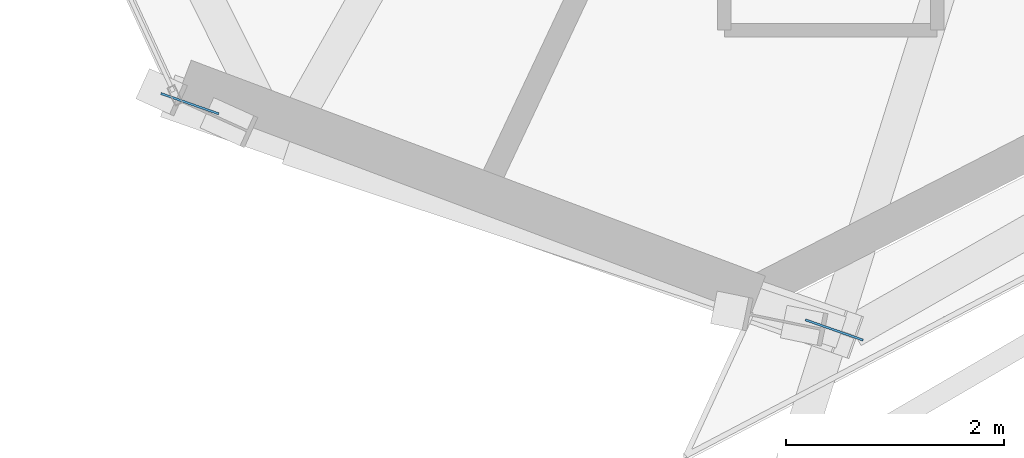
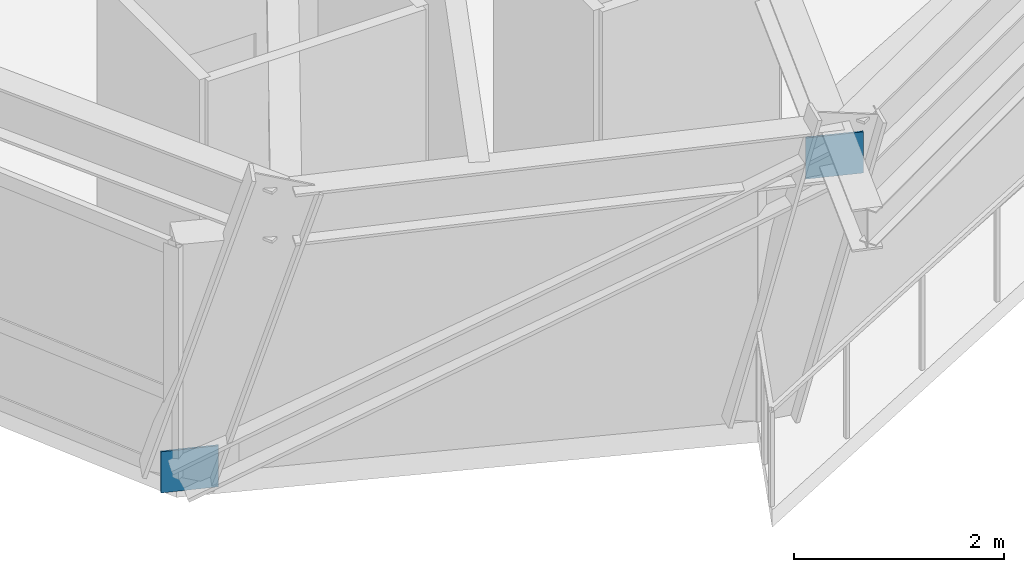
# One storey, part 11 of 22: 2 plates.
"""IFC4 building model written with IfcOpenShell, lengths in metres."""

from ifc_helpers import new_model, si_unit, direction, frame, origin, origin_2d, place, context, subcontext, project, spatial, rectangle, extrude, source, transform, mapped, material, type_object, element, save


model = new_model("IFC4")

# Units and contexts
model_context = context("Model", 3, precision=1e-05, world=origin(), true_north=direction((0.0, 1.0)))
body_context = subcontext(model_context, "Body", "Model", "MODEL_VIEW")
ifc_project = project(units=[si_unit("LENGTHUNIT", "METRE"), si_unit("AREAUNIT", "SQUARE_METRE"), si_unit("VOLUMEUNIT", "CUBIC_METRE"), si_unit("PLANEANGLEUNIT", "RADIAN"), si_unit("MASSUNIT", "GRAM", prefix="KILO")], contexts=[model_context])

# Site, building, storey
site_placement = place(None, origin())
site = spatial("IfcSite", under=ifc_project, at=site_placement, CompositionType="ELEMENT")
building_placement = place(site_placement, origin())
building = spatial("IfcBuilding", under=site, at=building_placement, Name="Olszyna Solenne Hotel", CompositionType="ELEMENT")
storey_placement = place(building_placement, frame((0.0, 0.0, 95.050048828125)))
storey = spatial("IfcBuildingStorey", under=building, at=storey_placement, Name="L24", CompositionType="ELEMENT", Elevation=95.050048828125)

# Plates
ifc_material = material(Name="Steel S355J2", Category="steel")
plate_type = type_object("IfcPlateType", Name="GP-ND2", PredefinedType="USERDEFINED", material=ifc_material)
shared_shape = source(origin(), body_context, "Body", "SweptSolid", [
    extrude(rectangle(XDim=0.56005859375, YDim=0.02001953125, at=origin_2d()), origin(), (0.0, 0.0, 1.0), 0.47998046875),
])
for number, where, z_axis, x_axis, name in (
    (1, (24.736328125, 4.97412109375, -0.172119140625), (0.0, 0.0, 1.0), (0.943512164028, -0.331337888463, 0.0), "Brace end connection gusset plate GP-ND2 EP-BR-L24-3-1"),
    (2, (30.6416015625, 2.900390625, 2.672119140625), (0.0, 0.0, 1.0), (0.943512164028, -0.331337888463, 0.0), "Brace end connection gusset plate GP-ND2 EP-BR-L24-3-2"),
):
    element("IfcPlate", number, at=place(storey_placement, frame(where, z_axis=z_axis, x_axis=x_axis)), inside=storey, type_object=plate_type, Name=name, ObjectType="GUSSET_PLATE", PredefinedType="USERDEFINED", context=body_context, shape_type="MappedRepresentation", body=[
        mapped(shared_shape, transform((0.0, 0.0, 0.0), x_axis=(1.0, 0.0, 0.0), y_axis=(0.0, 1.0, 0.0), z_axis=(0.0, 0.0, 1.0), scale=1.0)),
    ])

save(model, "model.ifc")
